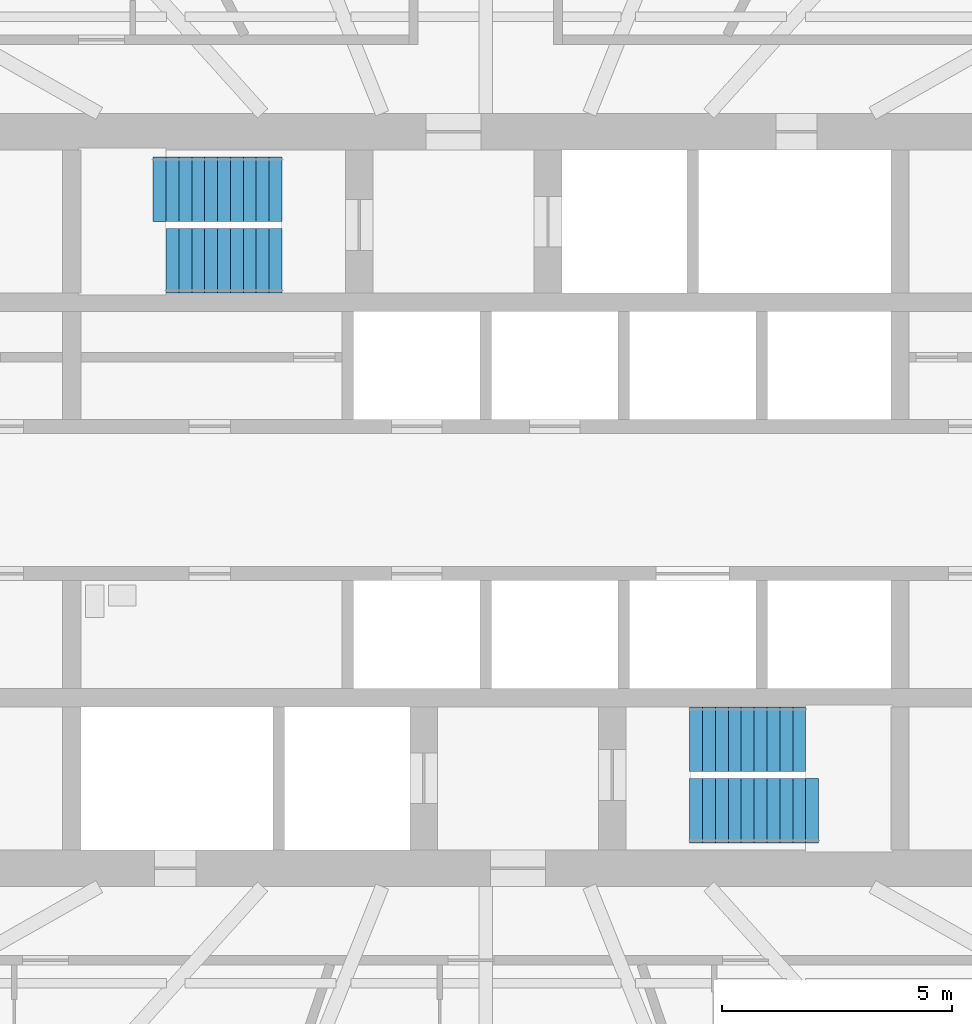
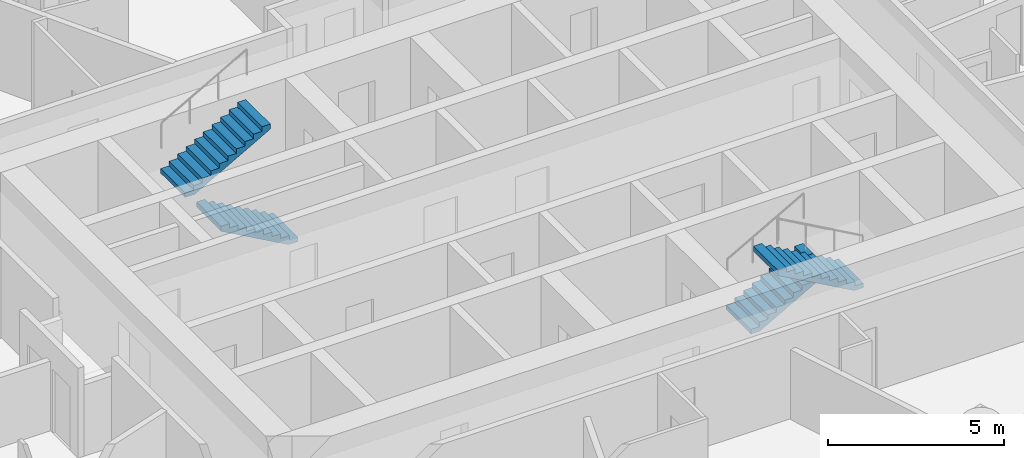
# One storey, part 14 of 16: 4 stair flights, 2 elements without a shape of their own.
"""IFC4 building model written with IfcOpenShell, lengths in metres."""

from ifc_helpers import new_model, si_unit, direction, frame, origin, place, context, subcontext, project, spatial, polyline, outline, extrude, material, type_object, element, aggregate, save


model = new_model("IFC4")

# Units and contexts
model_context = context("Model", 3, precision=1e-05, world=origin(), true_north=direction((0.0, 1.0)))
body_context = subcontext(model_context, "Body", "Model", "MODEL_VIEW")
ifc_project = project(units=[si_unit("LENGTHUNIT", "METRE"), si_unit("AREAUNIT", "SQUARE_METRE"), si_unit("VOLUMEUNIT", "CUBIC_METRE"), si_unit("PLANEANGLEUNIT", "RADIAN"), si_unit("MASSUNIT", "GRAM", prefix="KILO")], contexts=[model_context])

# Site, building, storey
site_placement = place(None, origin())
site = spatial("IfcSite", under=ifc_project, at=site_placement, CompositionType="ELEMENT")
building_placement = place(site_placement, origin())
building = spatial("IfcBuilding", under=site, at=building_placement, Name="Hankou Lantern Tower", CompositionType="ELEMENT")
storey_placement = place(building_placement, frame((0.0, 0.0, 166.5)))
storey = spatial("IfcBuildingStorey", under=building, at=storey_placement, Name="L44", CompositionType="ELEMENT", Elevation=166.5)

# Stair, stair flight
ifc_material_1 = material(Name="Concrete C40", Category="concrete")
stair_type = type_object("IfcStairType", Name="ST33 CORE STAIR 3300 RISE", PredefinedType="HALF_TURN_STAIR", material=ifc_material_1)
stair_1_placement = place(storey_placement, origin())
stair_1 = element("IfcStair", 1, at=stair_1_placement, inside=storey, type_object=stair_type, Name="Stair STA L44", PredefinedType="HALF_TURN_STAIR")
ifc_material_2 = material(Name="Concrete C40", Category="concrete")
stair_flight_type_1 = type_object("IfcStairFlightType", Name="CF10 CORE STAIR FLIGHT 1400 X 10 RISERS", PredefinedType="STRAIGHT", material=ifc_material_2)
stair_flight_1_placement = place(storey_placement, frame((-4.429931640625, 5.199951171875, 0.0), z_axis=(0.0, 0.0, 1.0), x_axis=(-1.0, 0.0, 0.0)))
stair_flight_1 = element("IfcStairFlight", 2, at=stair_flight_1_placement, type_object=stair_flight_type_1, Name="STA flight 1", NumberOfRisers=10, NumberOfTreads=9, PredefinedType="STRAIGHT", RiserHeight=0.157142857, TreadLength=0.28, context=body_context, shape_type="SweptSolid", body=[
    extrude(outline(polyline([(0.0, 0.0), (0.0, 0.1572265625), (0.280029296875, 0.1572265625), (0.280029296875, 0.314208984375), (0.56005859375, 0.314208984375), (0.56005859375, 0.471435546875), (0.840087890625, 0.471435546875), (0.840087890625, 0.628662109375), (1.1201171875, 0.628662109375), (1.1201171875, 0.78564453125), (1.39990234375, 0.78564453125), (1.39990234375, 0.94287109375), (1.679931640625, 0.94287109375), (1.679931640625, 1.10009765625), (1.9599609375, 1.10009765625), (1.9599609375, 1.257080078125), (2.239990234375, 1.257080078125), (2.239990234375, 1.414306640625), (2.52001953125, 1.414306640625), (2.52001953125, 1.571533203125), (2.52001953125, 1.242431640625), (0.306396484375, 0.0), (0.0, 0.0)])), frame((0.0, 0.699951171875, 0.0), z_axis=(0.0, -1.0, 0.0), x_axis=(1.0, 0.0, 0.0)), (0.0, 0.0, 1.0), 1.39990234375),
])

stair_2_placement = place(storey_placement, origin())
stair_2 = element("IfcStair", 3, at=stair_2_placement, inside=storey, type_object=stair_type, Name="Stair STB L44", PredefinedType="HALF_TURN_STAIR")
stair_flight_2_placement = place(storey_placement, frame((4.429931640625, -5.199951171875, 0.0), z_axis=(0.0, 0.0, 1.0), x_axis=(1.0, 0.0, 0.0)))
stair_flight_2 = element("IfcStairFlight", 4, at=stair_flight_2_placement, type_object=stair_flight_type_1, Name="STB flight 1", NumberOfRisers=10, NumberOfTreads=9, PredefinedType="STRAIGHT", RiserHeight=0.157142857, TreadLength=0.28, context=body_context, shape_type="SweptSolid", body=[
    extrude(outline(polyline([(0.0, 0.0), (0.0, 0.1572265625), (0.280029296875, 0.1572265625), (0.280029296875, 0.314208984375), (0.56005859375, 0.314208984375), (0.56005859375, 0.471435546875), (0.840087890625, 0.471435546875), (0.840087890625, 0.628662109375), (1.1201171875, 0.628662109375), (1.1201171875, 0.78564453125), (1.39990234375, 0.78564453125), (1.39990234375, 0.94287109375), (1.679931640625, 0.94287109375), (1.679931640625, 1.10009765625), (1.9599609375, 1.10009765625), (1.9599609375, 1.257080078125), (2.239990234375, 1.257080078125), (2.239990234375, 1.414306640625), (2.52001953125, 1.414306640625), (2.52001953125, 1.571533203125), (2.52001953125, 1.242431640625), (0.306396484375, 0.0), (0.0, 0.0)])), frame((0.0, 0.699951171875, 0.0), z_axis=(0.0, -1.0, 0.0), x_axis=(1.0, 0.0, 0.0)), (0.0, 0.0, 1.0), 1.39990234375),
])

# Stair flight
ifc_material_3 = material(Name="Concrete C40", Category="concrete")
stair_flight_type_2 = type_object("IfcStairFlightType", Name="CF11 CORE STAIR FLIGHT 1400 X 11 RISERS", PredefinedType="STRAIGHT", material=ifc_material_3)
stair_flight_3_placement = place(storey_placement, frame((-7.22998046875, 6.75, 1.571533203125), z_axis=(0.0, 0.0, 1.0), x_axis=(1.0, 0.0, 0.0)))
stair_flight_3 = element("IfcStairFlight", 5, at=stair_flight_3_placement, type_object=stair_flight_type_2, Name="STA flight 2", NumberOfRisers=11, NumberOfTreads=10, PredefinedType="STRAIGHT", RiserHeight=0.157142857, TreadLength=0.28, context=body_context, shape_type="SweptSolid", body=[
    extrude(outline(polyline([(0.0, 0.0), (0.0, 0.1572265625), (0.280029296875, 0.1572265625), (0.280029296875, 0.314208984375), (0.56005859375, 0.314208984375), (0.56005859375, 0.471435546875), (0.840087890625, 0.471435546875), (0.840087890625, 0.628662109375), (1.1201171875, 0.628662109375), (1.1201171875, 0.78564453125), (1.39990234375, 0.78564453125), (1.39990234375, 0.94287109375), (1.679931640625, 0.94287109375), (1.679931640625, 1.10009765625), (1.9599609375, 1.10009765625), (1.9599609375, 1.257080078125), (2.239990234375, 1.257080078125), (2.239990234375, 1.414306640625), (2.52001953125, 1.414306640625), (2.52001953125, 1.571533203125), (2.800048828125, 1.571533203125), (2.800048828125, 1.728515625), (2.800048828125, 1.3994140625), (0.306396484375, 0.0), (0.0, 0.0)])), frame((0.0, 0.699951171875, 0.0), z_axis=(0.0, -1.0, 0.0), x_axis=(1.0, 0.0, 0.0)), (0.0, 0.0, 1.0), 1.39990234375),
])

aggregate(stair_1, [stair_flight_1, stair_flight_3])

stair_flight_4_placement = place(storey_placement, frame((7.22998046875, -6.75, 1.571533203125), z_axis=(0.0, 0.0, 1.0), x_axis=(-1.0, 0.0, 0.0)))
stair_flight_4 = element("IfcStairFlight", 6, at=stair_flight_4_placement, type_object=stair_flight_type_2, Name="STB flight 2", NumberOfRisers=11, NumberOfTreads=10, PredefinedType="STRAIGHT", RiserHeight=0.157142857, TreadLength=0.28, context=body_context, shape_type="SweptSolid", body=[
    extrude(outline(polyline([(0.0, 0.0), (0.0, 0.1572265625), (0.280029296875, 0.1572265625), (0.280029296875, 0.314208984375), (0.56005859375, 0.314208984375), (0.56005859375, 0.471435546875), (0.840087890625, 0.471435546875), (0.840087890625, 0.628662109375), (1.1201171875, 0.628662109375), (1.1201171875, 0.78564453125), (1.39990234375, 0.78564453125), (1.39990234375, 0.94287109375), (1.679931640625, 0.94287109375), (1.679931640625, 1.10009765625), (1.9599609375, 1.10009765625), (1.9599609375, 1.257080078125), (2.239990234375, 1.257080078125), (2.239990234375, 1.414306640625), (2.52001953125, 1.414306640625), (2.52001953125, 1.571533203125), (2.800048828125, 1.571533203125), (2.800048828125, 1.728515625), (2.800048828125, 1.3994140625), (0.306396484375, 0.0), (0.0, 0.0)])), frame((0.0, 0.699951171875, 0.0), z_axis=(0.0, -1.0, 0.0), x_axis=(1.0, 0.0, 0.0)), (0.0, 0.0, 1.0), 1.39990234375),
])

aggregate(stair_2, [stair_flight_2, stair_flight_4])

save(model, "model.ifc")
